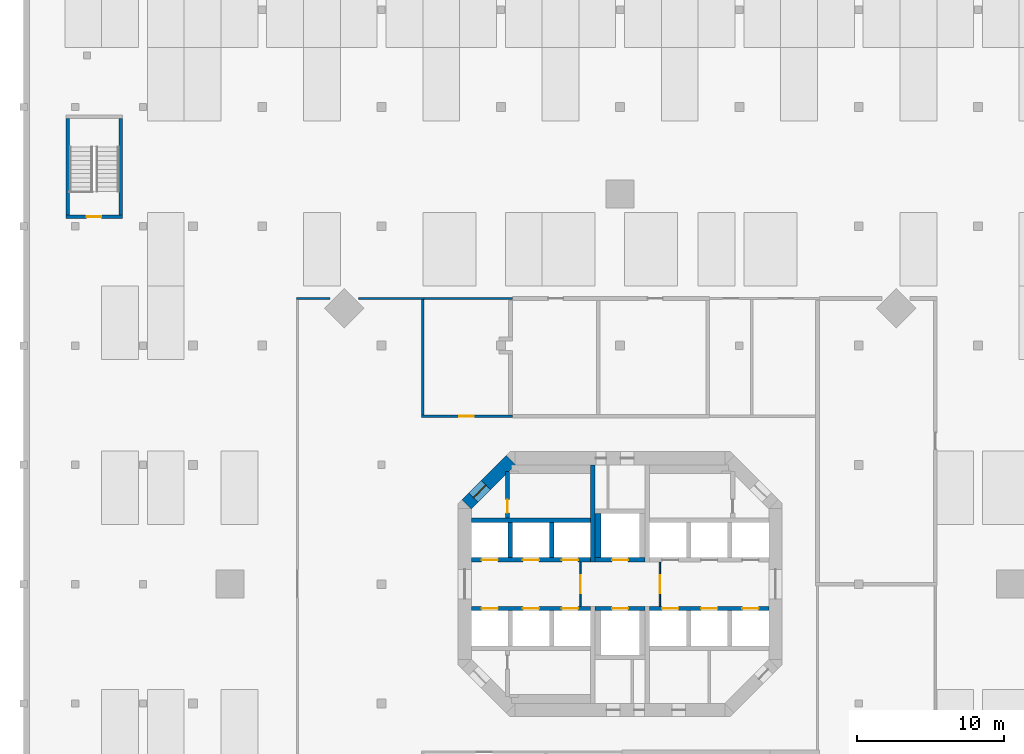
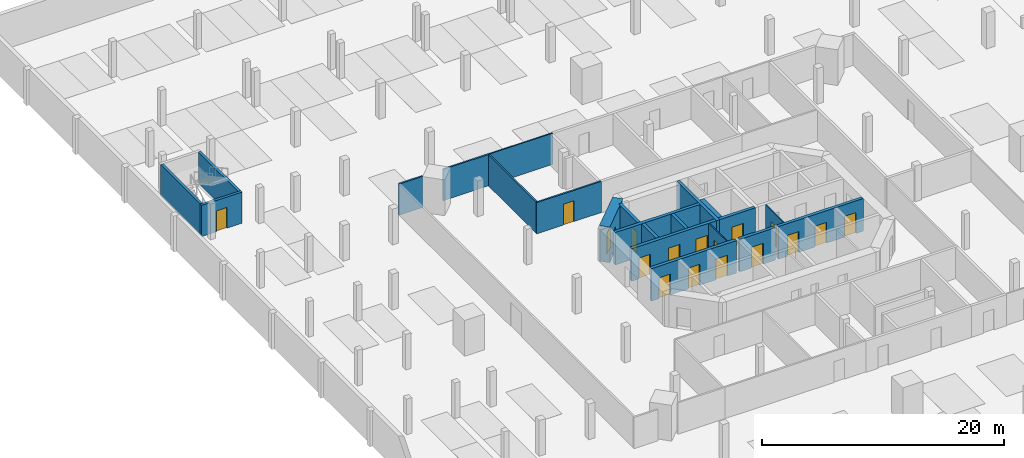
# One storey, part 8 of 14: 22 walls, 17 doors, 17 openings.
"""IFC4 building model written with IfcOpenShell, lengths in metres."""

from ifc_helpers import new_model, si_unit, direction, frame, frame_2d, origin, place, context, subcontext, project, spatial, rectangle, extrude, material, layer, layer_set, type_object, element, fill, save


model = new_model("IFC4")

# Units and contexts
model_context = context("Model", 3, precision=1e-05, world=origin(), true_north=direction((0.0, 1.0)))
body_context = subcontext(model_context, "Body", "Model", "MODEL_VIEW")
ifc_project = project(units=[si_unit("LENGTHUNIT", "METRE"), si_unit("AREAUNIT", "SQUARE_METRE"), si_unit("VOLUMEUNIT", "CUBIC_METRE"), si_unit("PLANEANGLEUNIT", "RADIAN"), si_unit("MASSUNIT", "GRAM", prefix="KILO")], contexts=[model_context])

# Site, building, storey
site_placement = place(None, origin())
site = spatial("IfcSite", under=ifc_project, at=site_placement, CompositionType="ELEMENT")
building_placement = place(site_placement, origin())
building = spatial("IfcBuilding", under=site, at=building_placement, Name="Torre Triforio", CompositionType="ELEMENT")
storey_placement = place(building_placement, frame((0.0, 0.0, -3.60009765625)))
storey = spatial("IfcBuildingStorey", under=building, at=storey_placement, Name="B1", CompositionType="ELEMENT", Elevation=-3.60009765625)

# Wall
ifc_material_1 = material(Name="Concrete C60", Category="concrete")
ifc_layer_1 = layer(ifc_material_1, 0.300048828125)
ifc_layer_set_1 = layer_set([ifc_layer_1], Name="Concrete C60")
wall_type_1 = type_object("IfcWallType", Name="Core wall 300 mm C60 EI 120", PredefinedType="SHEAR", material=ifc_layer_set_1)
wall_1_placement = place(storey_placement, frame((-1.85009765625, 1.5, 0.0), z_axis=(0.0, 0.0, 1.0), x_axis=(0.0, 1.0, 0.0)))
element("IfcWall", 1, at=wall_1_placement, inside=storey, type_object=wall_type_1, Name="Core wall", PredefinedType="SHEAR", context=body_context, shape_type="SweptSolid", body=[
    extrude(rectangle(XDim=6.60009765625, YDim=0.300048828125, at=frame_2d((3.300048828125, 0.0))), origin(), (0.0, 0.0, 1.0), 3.280029296875),
])

# Wall, opening, door
ifc_layer_2 = layer(ifc_material_1, 0.89990234375)
ifc_layer_set_2 = layer_set([ifc_layer_2], Name="Concrete C60")
wall_type_2 = type_object("IfcWallType", Name="Core wall 900 mm C60 EI 120", PredefinedType="SHEAR", material=ifc_layer_set_2)
wall_2_placement = place(storey_placement, frame((-10.418212890625, 5.418212890625, -0.31982421875), z_axis=(0.0, 0.0, 1.0), x_axis=(0.707106781187, 0.707106781187, 0.0)))
wall_2 = element("IfcWall", 2, at=wall_2_placement, inside=storey, type_object=wall_type_2, Name="Core wall", PredefinedType="SHEAR", context=body_context, shape_type="SweptSolid", body=[
    extrude(rectangle(XDim=4.24267578125, YDim=0.89990234375, at=frame_2d((2.121337890625, 0.0))), origin(), (0.0, 0.0, 1.0), 3.599853515625),
])
opening_1_placement = place(wall_2_placement, frame((0.64990234375, 0.0, 0.320068359375)))
opening_1 = element("IfcOpeningElement", 3, at=opening_1_placement, cuts=wall_2, Name="Opening ST1-EXIT", PredefinedType="OPENING", context=body_context, shape_type="SweptSolid", body=[
    extrude(rectangle(XDim=1.199951171875, YDim=2.10009765625, at=frame_2d((0.60009765625, 1.050048828125))), frame((0.0, 0.4599609375, 0.0), z_axis=(0.0, -1.0, 0.0), x_axis=(1.0, 0.0, 0.0)), (0.0, 0.0, 1.0), 0.919921875),
])
ifc_material_2 = material(Name="Hollow metal fire door leaf")
door_type_1 = type_object("IfcDoorType", Name="Stair lobby door 1200 x 2100 EI 60", OperationType="NOTDEFINED", PredefinedType="DOOR", material=ifc_material_2)
door_1_placement = place(opening_1_placement, origin())
door_1 = element("IfcDoor", 4, at=door_1_placement, inside=storey, type_object=door_type_1, Name="Core door ST1-EXIT", OperationType="SINGLE_SWING_LEFT", OverallHeight=2.10009765625, OverallWidth=1.199951171875, PredefinedType="DOOR", context=body_context, shape_type="SweptSolid", body=[
    extrude(rectangle(XDim=1.199951171875, YDim=2.10009765625, at=frame_2d((0.60009765625, 1.050048828125))), frame((0.0, 0.02490234375, 0.0), z_axis=(0.0, -1.0, 0.0), x_axis=(1.0, 0.0, 0.0)), (0.0, 0.0, 1.0), 0.050048828125),
])
fill(opening_1, door_1)

# Walls
ifc_material_3 = material(Name="Plasterboard on metal studs")
ifc_layer_3 = layer(ifc_material_3, 0.14990234375)
ifc_layer_set_3 = layer_set([ifc_layer_3], Name="Plasterboard on metal studs")
wall_type_3 = type_object("IfcWallType", Name="Corridor wall 150 EI 60", PredefinedType="PARTITIONING", material=ifc_layer_set_3)
wall_3_placement = place(storey_placement, frame((-13.39990234375, 11.47509765625, 0.0), z_axis=(0.0, 0.0, 1.0), x_axis=(0.0, 1.0, 0.0)))
element("IfcWall", 5, at=wall_3_placement, inside=storey, type_object=wall_type_3, Name="Corridor wall B1 017", PredefinedType="PARTITIONING", context=body_context, shape_type="SweptSolid", body=[
    extrude(rectangle(XDim=7.849853515625, YDim=0.14990234375, at=frame_2d((3.9248046875, 0.0))), origin(), (0.0, 0.0, 1.0), 3.150146484375),
])
wall_4_placement = place(storey_placement, frame((-21.97509765625, 19.39990234375, 0.0), z_axis=(0.0, 0.0, 1.0), x_axis=(1.0, 0.0, 0.0)))
element("IfcWall", 6, at=wall_4_placement, inside=storey, type_object=wall_type_3, Name="Corridor wall B1 020", PredefinedType="PARTITIONING", context=body_context, shape_type="SweptSolid", body=[
    extrude(rectangle(XDim=2.27685546875, YDim=0.14990234375, at=frame_2d((1.138427734375, 0.0))), origin(), (0.0, 0.0, 1.0), 3.150146484375),
])
wall_5_placement = place(storey_placement, frame((-17.7783203125, 19.39990234375, 0.0), z_axis=(0.0, 0.0, 1.0), x_axis=(1.0, 0.0, 0.0)))
element("IfcWall", 7, at=wall_5_placement, inside=storey, type_object=wall_type_3, Name="Corridor wall B1 021", PredefinedType="PARTITIONING", context=body_context, shape_type="SweptSolid", body=[
    extrude(rectangle(XDim=4.453369140625, YDim=0.14990234375, at=frame_2d((2.2265625, 0.0))), origin(), (0.0, 0.0, 1.0), 3.150146484375),
])

# Wall, opening, door
wall_6_placement = place(storey_placement, frame((-13.47509765625, 11.39990234375, 0.0), z_axis=(0.0, 0.0, 1.0), x_axis=(1.0, 0.0, 0.0)))
wall_6 = element("IfcWall", 8, at=wall_6_placement, inside=storey, type_object=wall_type_3, Name="Corridor wall B1 040", PredefinedType="PARTITIONING", context=body_context, shape_type="SweptSolid", body=[
    extrude(rectangle(XDim=6.15576171875, YDim=0.14990234375, at=frame_2d((3.077880859375, 0.0))), origin(), (0.0, 0.0, 1.0), 3.150146484375),
])
opening_2_placement = place(wall_6_placement, frame((2.550048828125, 0.0, 0.0)))
opening_2 = element("IfcOpeningElement", 9, at=opening_2_placement, cuts=wall_6, Name="Opening BS1-05", PredefinedType="OPENING", context=body_context, shape_type="SweptSolid", body=[
    extrude(rectangle(XDim=1.0, YDim=2.10009765625, at=frame_2d((0.5, 1.050048828125))), frame((0.0, 0.0849609375, 0.0), z_axis=(0.0, -1.0, 0.0), x_axis=(1.0, 0.0, 0.0)), (0.0, 0.0, 1.0), 0.169921875),
])
ifc_material_4 = material(Name="Timber door leaf", Category="wood")
door_type_2 = type_object("IfcDoorType", Name="Single door 1000 x 2100 EI 30", OperationType="NOTDEFINED", PredefinedType="DOOR", material=ifc_material_4)
door_2_placement = place(opening_2_placement, origin())
door_2 = element("IfcDoor", 10, at=door_2_placement, inside=storey, type_object=door_type_2, Name="Door BS1-05", OperationType="SINGLE_SWING_LEFT", OverallHeight=2.10009765625, OverallWidth=1.0, PredefinedType="DOOR", context=body_context, shape_type="SweptSolid", body=[
    extrude(rectangle(XDim=1.0, YDim=2.10009765625, at=frame_2d((0.5, 1.050048828125))), frame((0.0, 0.02490234375, 0.0), z_axis=(0.0, -1.0, 0.0), x_axis=(1.0, 0.0, 0.0)), (0.0, 0.0, 1.0), 0.050048828125),
])
fill(opening_2, door_2)

ifc_material_5 = material(Name="Block and board partition")
ifc_layer_4 = layer(ifc_material_5, 0.10009765625)
ifc_layer_set_4 = layer_set([ifc_layer_4], Name="Block and board partition")
wall_type_4 = type_object("IfcWallType", Name="Partition 100 mm EI 120", PredefinedType="PARTITIONING", material=ifc_layer_set_4)
wall_7_placement = place(storey_placement, frame((-2.699951171875, -1.5, 0.0), z_axis=(0.0, 0.0, 1.0), x_axis=(0.0, 1.0, 0.0)))
wall_7 = element("IfcWall", 11, at=wall_7_placement, inside=storey, type_object=wall_type_4, Name="Partition", PredefinedType="PARTITIONING", context=body_context, shape_type="SweptSolid", body=[
    extrude(rectangle(XDim=3.0, YDim=0.10009765625, at=frame_2d((1.5, 0.0))), origin(), (0.0, 0.0, 1.0), 3.280029296875),
])
opening_3_placement = place(wall_7_placement, frame((0.89990234375, 0.0, 0.0)))
opening_3 = element("IfcOpeningElement", 12, at=opening_3_placement, cuts=wall_7, Name="Opening FF-W", PredefinedType="OPENING", context=body_context, shape_type="SweptSolid", body=[
    extrude(rectangle(XDim=1.199951171875, YDim=2.10009765625, at=frame_2d((0.60009765625, 1.050048828125))), frame((0.0, 0.06005859375, 0.0), z_axis=(0.0, -1.0, 0.0), x_axis=(1.0, 0.0, 0.0)), (0.0, 0.0, 1.0), 0.1201171875),
])
door_type_3 = type_object("IfcDoorType", Name="Fire-fighting lobby door 1200 x 2100 EI 60", OperationType="NOTDEFINED", PredefinedType="DOOR", material=ifc_material_2)
door_3_placement = place(opening_3_placement, origin())
door_3 = element("IfcDoor", 13, at=door_3_placement, inside=storey, type_object=door_type_3, Name="Core door FF-W", OperationType="SINGLE_SWING_LEFT", OverallHeight=2.10009765625, OverallWidth=1.199951171875, PredefinedType="DOOR", context=body_context, shape_type="SweptSolid", body=[
    extrude(rectangle(XDim=1.199951171875, YDim=2.10009765625, at=frame_2d((0.60009765625, 1.050048828125))), frame((0.0, 0.02490234375, 0.0), z_axis=(0.0, -1.0, 0.0), x_axis=(1.0, 0.0, 0.0)), (0.0, 0.0, 1.0), 0.050048828125),
])
fill(opening_3, door_3)

wall_8_placement = place(storey_placement, frame((2.699951171875, -1.5, 0.0), z_axis=(0.0, 0.0, 1.0), x_axis=(0.0, 1.0, 0.0)))
wall_8 = element("IfcWall", 14, at=wall_8_placement, inside=storey, type_object=wall_type_4, Name="Partition", PredefinedType="PARTITIONING", context=body_context, shape_type="SweptSolid", body=[
    extrude(rectangle(XDim=3.0, YDim=0.10009765625, at=frame_2d((1.5, 0.0))), origin(), (0.0, 0.0, 1.0), 3.280029296875),
])
opening_4_placement = place(wall_8_placement, frame((0.89990234375, 0.0, 0.0)))
opening_4 = element("IfcOpeningElement", 15, at=opening_4_placement, cuts=wall_8, Name="Opening FF-E", PredefinedType="OPENING", context=body_context, shape_type="SweptSolid", body=[
    extrude(rectangle(XDim=1.199951171875, YDim=2.10009765625, at=frame_2d((0.60009765625, 1.050048828125))), frame((0.0, 0.06005859375, 0.0), z_axis=(0.0, -1.0, 0.0), x_axis=(1.0, 0.0, 0.0)), (0.0, 0.0, 1.0), 0.1201171875),
])
door_4_placement = place(opening_4_placement, origin())
door_4 = element("IfcDoor", 16, at=door_4_placement, inside=storey, type_object=door_type_3, Name="Core door FF-E", OperationType="SINGLE_SWING_LEFT", OverallHeight=2.10009765625, OverallWidth=1.199951171875, PredefinedType="DOOR", context=body_context, shape_type="SweptSolid", body=[
    extrude(rectangle(XDim=1.199951171875, YDim=2.10009765625, at=frame_2d((0.60009765625, 1.050048828125))), frame((0.0, 0.02490234375, 0.0), z_axis=(0.0, -1.0, 0.0), x_axis=(1.0, 0.0, 0.0)), (0.0, 0.0, 1.0), 0.050048828125),
])
fill(opening_4, door_4)

# Walls
ifc_layer_5 = layer(ifc_material_3, 0.1201171875)
ifc_layer_set_5 = layer_set([ifc_layer_5], Name="Plasterboard on metal studs")
wall_type_5 = type_object("IfcWallType", Name="Partition 120", PredefinedType="PARTITIONING", material=ifc_layer_set_5)
wall_9_placement = place(storey_placement, frame((-13.324951171875, 19.39990234375, 0.0), z_axis=(0.0, 0.0, 1.0), x_axis=(1.0, 0.0, 0.0)))
element("IfcWall", 17, at=wall_9_placement, inside=storey, type_object=wall_type_5, Name="Partition B1 039", PredefinedType="PARTITIONING", context=body_context, shape_type="SweptSolid", body=[
    extrude(rectangle(XDim=6.005615234375, YDim=0.1201171875, at=frame_2d((3.0029296875, 0.0))), origin(), (0.0, 0.0, 1.0), 3.150146484375),
])
ifc_layer_6 = layer(ifc_material_1, 0.300048828125)
ifc_layer_set_6 = layer_set([ifc_layer_6], Name="Concrete C60")
wall_type_6 = type_object("IfcWallType", Name="Shaft wall 300 mm C60 EI 120", PredefinedType="SOLIDWALL", material=ifc_layer_set_6)
wall_10_placement = place(storey_placement, frame((-10.10009765625, 4.35009765625, 0.0), z_axis=(0.0, 0.0, 1.0), x_axis=(1.0, 0.0, 0.0)))
element("IfcWall", 18, at=wall_10_placement, inside=storey, type_object=wall_type_6, Name="Shaft wall", PredefinedType="SOLIDWALL", context=body_context, shape_type="SweptSolid", body=[
    extrude(rectangle(XDim=8.10009765625, YDim=0.300048828125, at=frame_2d((4.050048828125, 0.0))), origin(), (0.0, 0.0, 1.0), 3.280029296875),
])

# Wall, openings, doors
wall_11_placement = place(storey_placement, frame((-10.10009765625, 1.64990234375, 0.0), z_axis=(0.0, 0.0, 1.0), x_axis=(1.0, 0.0, 0.0)))
wall_11 = element("IfcWall", 19, at=wall_11_placement, inside=storey, type_object=wall_type_6, Name="Shaft wall", PredefinedType="SOLIDWALL", context=body_context, shape_type="SweptSolid", body=[
    extrude(rectangle(XDim=8.10009765625, YDim=0.300048828125, at=frame_2d((4.050048828125, 0.0))), origin(), (0.0, 0.0, 1.0), 3.280029296875),
])
opening_5_placement = place(wall_11_placement, frame((0.699951171875, 0.0, 0.0)))
opening_5 = element("IfcOpeningElement", 20, at=opening_5_placement, cuts=wall_11, Name="Opening LD", PredefinedType="OPENING", context=body_context, shape_type="SweptSolid", body=[
    extrude(rectangle(XDim=1.10009765625, YDim=2.10009765625, at=frame_2d((0.550048828125, 1.050048828125))), frame((0.0, 0.159912109375, 0.0), z_axis=(0.0, -1.0, 0.0), x_axis=(1.0, 0.0, 0.0)), (0.0, 0.0, 1.0), 0.320068359375),
])
opening_6_placement = place(wall_11_placement, frame((3.5, 0.0, 0.0)))
opening_6 = element("IfcOpeningElement", 21, at=opening_6_placement, cuts=wall_11, Name="Opening LD", PredefinedType="OPENING", context=body_context, shape_type="SweptSolid", body=[
    extrude(rectangle(XDim=1.10009765625, YDim=2.10009765625, at=frame_2d((0.550048828125, 1.050048828125))), frame((0.0, 0.159912109375, 0.0), z_axis=(0.0, -1.0, 0.0), x_axis=(1.0, 0.0, 0.0)), (0.0, 0.0, 1.0), 0.320068359375),
])
opening_7_placement = place(wall_11_placement, frame((6.14990234375, 0.0, 0.0)))
opening_7 = element("IfcOpeningElement", 22, at=opening_7_placement, cuts=wall_11, Name="Opening LD", PredefinedType="OPENING", context=body_context, shape_type="SweptSolid", body=[
    extrude(rectangle(XDim=1.10009765625, YDim=2.10009765625, at=frame_2d((0.550048828125, 1.050048828125))), frame((0.0, 0.159912109375, 0.0), z_axis=(0.0, -1.0, 0.0), x_axis=(1.0, 0.0, 0.0)), (0.0, 0.0, 1.0), 0.320068359375),
])
door_type_4 = type_object("IfcDoorType", Name="Landing door 1100 x 2100 EI 60", OperationType="DOUBLE_DOOR_SLIDING", PredefinedType="DOOR", material=ifc_material_2)
door_5_placement = place(opening_5_placement, origin())
door_5 = element("IfcDoor", 23, at=door_5_placement, inside=storey, type_object=door_type_4, Name="Landing door LR1", OperationType="DOUBLE_DOOR_SLIDING", OverallHeight=2.10009765625, OverallWidth=1.10009765625, PredefinedType="DOOR", context=body_context, shape_type="SweptSolid", body=[
    extrude(rectangle(XDim=1.10009765625, YDim=2.10009765625, at=frame_2d((0.550048828125, 1.050048828125))), frame((0.0, 0.02490234375, 0.0), z_axis=(0.0, -1.0, 0.0), x_axis=(1.0, 0.0, 0.0)), (0.0, 0.0, 1.0), 0.050048828125),
])
fill(opening_5, door_5)
door_6_placement = place(opening_6_placement, origin())
door_6 = element("IfcDoor", 24, at=door_6_placement, inside=storey, type_object=door_type_4, Name="Landing door LR2", OperationType="DOUBLE_DOOR_SLIDING", OverallHeight=2.10009765625, OverallWidth=1.10009765625, PredefinedType="DOOR", context=body_context, shape_type="SweptSolid", body=[
    extrude(rectangle(XDim=1.10009765625, YDim=2.10009765625, at=frame_2d((0.550048828125, 1.050048828125))), frame((0.0, 0.02490234375, 0.0), z_axis=(0.0, -1.0, 0.0), x_axis=(1.0, 0.0, 0.0)), (0.0, 0.0, 1.0), 0.050048828125),
])
fill(opening_6, door_6)
door_7_placement = place(opening_7_placement, origin())
door_7 = element("IfcDoor", 25, at=door_7_placement, inside=storey, type_object=door_type_4, Name="Landing door LR3", OperationType="DOUBLE_DOOR_SLIDING", OverallHeight=2.10009765625, OverallWidth=1.10009765625, PredefinedType="DOOR", context=body_context, shape_type="SweptSolid", body=[
    extrude(rectangle(XDim=1.10009765625, YDim=2.10009765625, at=frame_2d((0.550048828125, 1.050048828125))), frame((0.0, 0.02490234375, 0.0), z_axis=(0.0, -1.0, 0.0), x_axis=(1.0, 0.0, 0.0)), (0.0, 0.0, 1.0), 0.050048828125),
])
fill(opening_7, door_7)

wall_12_placement = place(storey_placement, frame((-10.10009765625, -1.64990234375, 0.0), z_axis=(0.0, 0.0, 1.0), x_axis=(1.0, 0.0, 0.0)))
wall_12 = element("IfcWall", 26, at=wall_12_placement, inside=storey, type_object=wall_type_6, Name="Shaft wall", PredefinedType="SOLIDWALL", context=body_context, shape_type="SweptSolid", body=[
    extrude(rectangle(XDim=8.10009765625, YDim=0.300048828125, at=frame_2d((4.050048828125, 0.0))), origin(), (0.0, 0.0, 1.0), 3.280029296875),
])
opening_8_placement = place(wall_12_placement, frame((0.699951171875, 0.0, 0.0)))
opening_8 = element("IfcOpeningElement", 27, at=opening_8_placement, cuts=wall_12, Name="Opening LD", PredefinedType="OPENING", context=body_context, shape_type="SweptSolid", body=[
    extrude(rectangle(XDim=1.10009765625, YDim=2.10009765625, at=frame_2d((0.550048828125, 1.050048828125))), frame((0.0, 0.159912109375, 0.0), z_axis=(0.0, -1.0, 0.0), x_axis=(1.0, 0.0, 0.0)), (0.0, 0.0, 1.0), 0.320068359375),
])
opening_9_placement = place(wall_12_placement, frame((3.5, 0.0, 0.0)))
opening_9 = element("IfcOpeningElement", 28, at=opening_9_placement, cuts=wall_12, Name="Opening LD", PredefinedType="OPENING", context=body_context, shape_type="SweptSolid", body=[
    extrude(rectangle(XDim=1.10009765625, YDim=2.10009765625, at=frame_2d((0.550048828125, 1.050048828125))), frame((0.0, 0.159912109375, 0.0), z_axis=(0.0, -1.0, 0.0), x_axis=(1.0, 0.0, 0.0)), (0.0, 0.0, 1.0), 0.320068359375),
])
opening_10_placement = place(wall_12_placement, frame((6.14990234375, 0.0, 0.0)))
opening_10 = element("IfcOpeningElement", 29, at=opening_10_placement, cuts=wall_12, Name="Opening LD", PredefinedType="OPENING", context=body_context, shape_type="SweptSolid", body=[
    extrude(rectangle(XDim=1.10009765625, YDim=2.10009765625, at=frame_2d((0.550048828125, 1.050048828125))), frame((0.0, 0.159912109375, 0.0), z_axis=(0.0, -1.0, 0.0), x_axis=(1.0, 0.0, 0.0)), (0.0, 0.0, 1.0), 0.320068359375),
])
door_8_placement = place(opening_8_placement, origin())
door_8 = element("IfcDoor", 30, at=door_8_placement, inside=storey, type_object=door_type_4, Name="Landing door LR4", OperationType="DOUBLE_DOOR_SLIDING", OverallHeight=2.10009765625, OverallWidth=1.10009765625, PredefinedType="DOOR", context=body_context, shape_type="SweptSolid", body=[
    extrude(rectangle(XDim=1.10009765625, YDim=2.10009765625, at=frame_2d((0.550048828125, 1.050048828125))), frame((0.0, 0.02490234375, 0.0), z_axis=(0.0, -1.0, 0.0), x_axis=(1.0, 0.0, 0.0)), (0.0, 0.0, 1.0), 0.050048828125),
])
fill(opening_8, door_8)
door_9_placement = place(opening_9_placement, origin())
door_9 = element("IfcDoor", 31, at=door_9_placement, inside=storey, type_object=door_type_4, Name="Landing door LR5", OperationType="DOUBLE_DOOR_SLIDING", OverallHeight=2.10009765625, OverallWidth=1.10009765625, PredefinedType="DOOR", context=body_context, shape_type="SweptSolid", body=[
    extrude(rectangle(XDim=1.10009765625, YDim=2.10009765625, at=frame_2d((0.550048828125, 1.050048828125))), frame((0.0, 0.02490234375, 0.0), z_axis=(0.0, -1.0, 0.0), x_axis=(1.0, 0.0, 0.0)), (0.0, 0.0, 1.0), 0.050048828125),
])
fill(opening_9, door_9)
door_10_placement = place(opening_10_placement, origin())
door_10 = element("IfcDoor", 32, at=door_10_placement, inside=storey, type_object=door_type_4, Name="Landing door LR6", OperationType="DOUBLE_DOOR_SLIDING", OverallHeight=2.10009765625, OverallWidth=1.10009765625, PredefinedType="DOOR", context=body_context, shape_type="SweptSolid", body=[
    extrude(rectangle(XDim=1.10009765625, YDim=2.10009765625, at=frame_2d((0.550048828125, 1.050048828125))), frame((0.0, 0.02490234375, 0.0), z_axis=(0.0, -1.0, 0.0), x_axis=(1.0, 0.0, 0.0)), (0.0, 0.0, 1.0), 0.050048828125),
])
fill(opening_10, door_10)

wall_13_placement = place(storey_placement, frame((2.0, -1.64990234375, 0.0), z_axis=(0.0, 0.0, 1.0), x_axis=(1.0, 0.0, 0.0)))
wall_13 = element("IfcWall", 33, at=wall_13_placement, inside=storey, type_object=wall_type_6, Name="Shaft wall", PredefinedType="SOLIDWALL", context=body_context, shape_type="SweptSolid", body=[
    extrude(rectangle(XDim=8.10009765625, YDim=0.300048828125, at=frame_2d((4.050048828125, 0.0))), origin(), (0.0, 0.0, 1.0), 3.280029296875),
])
opening_11_placement = place(wall_13_placement, frame((0.85009765625, 0.0, 0.0)))
opening_11 = element("IfcOpeningElement", 34, at=opening_11_placement, cuts=wall_13, Name="Opening LD", PredefinedType="OPENING", context=body_context, shape_type="SweptSolid", body=[
    extrude(rectangle(XDim=1.10009765625, YDim=2.10009765625, at=frame_2d((0.550048828125, 1.050048828125))), frame((0.0, 0.159912109375, 0.0), z_axis=(0.0, -1.0, 0.0), x_axis=(1.0, 0.0, 0.0)), (0.0, 0.0, 1.0), 0.320068359375),
])
opening_12_placement = place(wall_13_placement, frame((3.5, 0.0, 0.0)))
opening_12 = element("IfcOpeningElement", 35, at=opening_12_placement, cuts=wall_13, Name="Opening LD", PredefinedType="OPENING", context=body_context, shape_type="SweptSolid", body=[
    extrude(rectangle(XDim=1.10009765625, YDim=2.10009765625, at=frame_2d((0.550048828125, 1.050048828125))), frame((0.0, 0.159912109375, 0.0), z_axis=(0.0, -1.0, 0.0), x_axis=(1.0, 0.0, 0.0)), (0.0, 0.0, 1.0), 0.320068359375),
])
opening_13_placement = place(wall_13_placement, frame((6.300048828125, 0.0, 0.0)))
opening_13 = element("IfcOpeningElement", 36, at=opening_13_placement, cuts=wall_13, Name="Opening LD", PredefinedType="OPENING", context=body_context, shape_type="SweptSolid", body=[
    extrude(rectangle(XDim=1.10009765625, YDim=2.10009765625, at=frame_2d((0.550048828125, 1.050048828125))), frame((0.0, 0.159912109375, 0.0), z_axis=(0.0, -1.0, 0.0), x_axis=(1.0, 0.0, 0.0)), (0.0, 0.0, 1.0), 0.320068359375),
])
door_11_placement = place(opening_11_placement, origin())
door_11 = element("IfcDoor", 37, at=door_11_placement, inside=storey, type_object=door_type_4, Name="Landing door HR4", OperationType="DOUBLE_DOOR_SLIDING", OverallHeight=2.10009765625, OverallWidth=1.10009765625, PredefinedType="DOOR", context=body_context, shape_type="SweptSolid", body=[
    extrude(rectangle(XDim=1.10009765625, YDim=2.10009765625, at=frame_2d((0.550048828125, 1.050048828125))), frame((0.0, 0.02490234375, 0.0), z_axis=(0.0, -1.0, 0.0), x_axis=(1.0, 0.0, 0.0)), (0.0, 0.0, 1.0), 0.050048828125),
])
fill(opening_11, door_11)
door_12_placement = place(opening_12_placement, origin())
door_12 = element("IfcDoor", 38, at=door_12_placement, inside=storey, type_object=door_type_4, Name="Landing door HR5", OperationType="DOUBLE_DOOR_SLIDING", OverallHeight=2.10009765625, OverallWidth=1.10009765625, PredefinedType="DOOR", context=body_context, shape_type="SweptSolid", body=[
    extrude(rectangle(XDim=1.10009765625, YDim=2.10009765625, at=frame_2d((0.550048828125, 1.050048828125))), frame((0.0, 0.02490234375, 0.0), z_axis=(0.0, -1.0, 0.0), x_axis=(1.0, 0.0, 0.0)), (0.0, 0.0, 1.0), 0.050048828125),
])
fill(opening_12, door_12)
door_13_placement = place(opening_13_placement, origin())
door_13 = element("IfcDoor", 39, at=door_13_placement, inside=storey, type_object=door_type_4, Name="Landing door HR6", OperationType="DOUBLE_DOOR_SLIDING", OverallHeight=2.10009765625, OverallWidth=1.10009765625, PredefinedType="DOOR", context=body_context, shape_type="SweptSolid", body=[
    extrude(rectangle(XDim=1.10009765625, YDim=2.10009765625, at=frame_2d((0.550048828125, 1.050048828125))), frame((0.0, 0.02490234375, 0.0), z_axis=(0.0, -1.0, 0.0), x_axis=(1.0, 0.0, 0.0)), (0.0, 0.0, 1.0), 0.050048828125),
])
fill(opening_13, door_13)

# Walls
for number, where, z_axis, x_axis, name in (
    (40, (-7.449951171875, 1.800048828125, 0.0), (0.0, 0.0, 1.0), (0.0, 1.0, 0.0), "Shaft wall"),
    (41, (-4.64990234375, 1.800048828125, 0.0), (0.0, 0.0, 1.0), (0.0, 1.0, 0.0), "Shaft wall"),
):
    element("IfcWall", number, at=place(storey_placement, frame(where, z_axis=z_axis, x_axis=x_axis)), inside=storey, type_object=wall_type_6, Name=name, PredefinedType="SOLIDWALL", context=body_context, shape_type="SweptSolid", body=[
        extrude(rectangle(XDim=2.39990234375, YDim=0.300048828125, at=frame_2d((1.199951171875, 0.0))), origin(), (0.0, 0.0, 1.0), 3.280029296875),
    ])

# Wall, opening, door
wall_14_placement = place(storey_placement, frame((-1.699951171875, 1.64990234375, 0.0), z_axis=(0.0, 0.0, 1.0), x_axis=(1.0, 0.0, 0.0)))
wall_14 = element("IfcWall", 42, at=wall_14_placement, inside=storey, type_object=wall_type_6, Name="Shaft wall", PredefinedType="SOLIDWALL", context=body_context, shape_type="SweptSolid", body=[
    extrude(rectangle(XDim=3.39990234375, YDim=0.300048828125, at=frame_2d((1.699951171875, 0.0))), origin(), (0.0, 0.0, 1.0), 3.280029296875),
])
opening_14_placement = place(wall_14_placement, frame((1.14990234375, 0.0, 0.0)))
opening_14 = element("IfcOpeningElement", 43, at=opening_14_placement, cuts=wall_14, Name="Opening LD", PredefinedType="OPENING", context=body_context, shape_type="SweptSolid", body=[
    extrude(rectangle(XDim=1.10009765625, YDim=2.10009765625, at=frame_2d((0.550048828125, 1.050048828125))), frame((0.0, 0.159912109375, 0.0), z_axis=(0.0, -1.0, 0.0), x_axis=(1.0, 0.0, 0.0)), (0.0, 0.0, 1.0), 0.320068359375),
])
door_14_placement = place(opening_14_placement, origin())
door_14 = element("IfcDoor", 44, at=door_14_placement, inside=storey, type_object=door_type_4, Name="Landing door FFL1", OperationType="DOUBLE_DOOR_SLIDING", OverallHeight=2.10009765625, OverallWidth=1.10009765625, PredefinedType="DOOR", context=body_context, shape_type="SweptSolid", body=[
    extrude(rectangle(XDim=1.10009765625, YDim=2.10009765625, at=frame_2d((0.550048828125, 1.050048828125))), frame((0.0, 0.02490234375, 0.0), z_axis=(0.0, -1.0, 0.0), x_axis=(1.0, 0.0, 0.0)), (0.0, 0.0, 1.0), 0.050048828125),
])
fill(opening_14, door_14)

wall_15_placement = place(storey_placement, frame((-1.699951171875, -1.64990234375, 0.0), z_axis=(0.0, 0.0, 1.0), x_axis=(1.0, 0.0, 0.0)))
wall_15 = element("IfcWall", 45, at=wall_15_placement, inside=storey, type_object=wall_type_6, Name="Shaft wall", PredefinedType="SOLIDWALL", context=body_context, shape_type="SweptSolid", body=[
    extrude(rectangle(XDim=3.39990234375, YDim=0.300048828125, at=frame_2d((1.699951171875, 0.0))), origin(), (0.0, 0.0, 1.0), 3.280029296875),
])
opening_15_placement = place(wall_15_placement, frame((1.14990234375, 0.0, 0.0)))
opening_15 = element("IfcOpeningElement", 46, at=opening_15_placement, cuts=wall_15, Name="Opening LD", PredefinedType="OPENING", context=body_context, shape_type="SweptSolid", body=[
    extrude(rectangle(XDim=1.10009765625, YDim=2.10009765625, at=frame_2d((0.550048828125, 1.050048828125))), frame((0.0, 0.159912109375, 0.0), z_axis=(0.0, -1.0, 0.0), x_axis=(1.0, 0.0, 0.0)), (0.0, 0.0, 1.0), 0.320068359375),
])
door_15_placement = place(opening_15_placement, origin())
door_15 = element("IfcDoor", 47, at=door_15_placement, inside=storey, type_object=door_type_4, Name="Landing door FFL2", OperationType="DOUBLE_DOOR_SLIDING", OverallHeight=2.10009765625, OverallWidth=1.10009765625, PredefinedType="DOOR", context=body_context, shape_type="SweptSolid", body=[
    extrude(rectangle(XDim=1.10009765625, YDim=2.10009765625, at=frame_2d((0.550048828125, 1.050048828125))), frame((0.0, 0.02490234375, 0.0), z_axis=(0.0, -1.0, 0.0), x_axis=(1.0, 0.0, 0.0)), (0.0, 0.0, 1.0), 0.050048828125),
])
fill(opening_15, door_15)

# Wall
ifc_layer_7 = layer(ifc_material_1, 0.39990234375)
ifc_layer_set_7 = layer_set([ifc_layer_7], Name="Concrete C60")
wall_type_7 = type_object("IfcWallType", Name="Shaft wall 400 mm C60 EI 120", PredefinedType="SOLIDWALL", material=ifc_layer_set_7)
wall_16_placement = place(storey_placement, frame((-1.5, 1.800048828125, 0.0), z_axis=(0.0, 0.0, 1.0), x_axis=(0.0, 1.0, 0.0)))
element("IfcWall", 48, at=wall_16_placement, inside=storey, type_object=wall_type_7, Name="Shaft wall", PredefinedType="SOLIDWALL", context=body_context, shape_type="SweptSolid", body=[
    extrude(rectangle(XDim=3.0, YDim=0.39990234375, at=frame_2d((1.5, 0.0))), origin(), (0.0, 0.0, 1.0), 3.280029296875),
])

# Wall, opening, door
ifc_material_6 = material(Name="Concrete C40", Category="concrete")
ifc_layer_8 = layer(ifc_material_6, 0.25)
ifc_layer_set_8 = layer_set([ifc_layer_8], Name="Concrete C40")
wall_type_8 = type_object("IfcWallType", Name="Stair enclosure wall 250 EI 120", PredefinedType="STANDARD", material=ifc_layer_set_8)
wall_17_placement = place(storey_placement, frame((-37.625, 24.949951171875, 0.0), z_axis=(0.0, 0.0, 1.0), x_axis=(1.0, 0.0, 0.0)))
wall_17 = element("IfcWall", 49, at=wall_17_placement, inside=storey, type_object=wall_type_8, Name="Stair enclosure wall B1 005", PredefinedType="STANDARD", context=body_context, shape_type="SweptSolid", body=[
    extrude(rectangle(XDim=3.85009765625, YDim=0.25, at=frame_2d((1.925048828125, 0.0))), origin(), (0.0, 0.0, 1.0), 3.150146484375),
])
opening_16_placement = place(wall_17_placement, frame((1.39990234375, 0.0, 0.0)))
opening_16 = element("IfcOpeningElement", 50, at=opening_16_placement, cuts=wall_17, Name="Opening BS1-02", PredefinedType="OPENING", context=body_context, shape_type="SweptSolid", body=[
    extrude(rectangle(XDim=1.0, YDim=2.10009765625, at=frame_2d((0.5, 1.050048828125))), frame((0.0, 0.135009765625, 0.0), z_axis=(0.0, -1.0, 0.0), x_axis=(1.0, 0.0, 0.0)), (0.0, 0.0, 1.0), 0.27001953125),
])
door_type_5 = type_object("IfcDoorType", Name="Stair door 1000 x 2100 EI 90", OperationType="NOTDEFINED", PredefinedType="DOOR", material=ifc_material_2)
door_16_placement = place(opening_16_placement, origin())
door_16 = element("IfcDoor", 51, at=door_16_placement, inside=storey, type_object=door_type_5, Name="Door BS1-02", OperationType="SINGLE_SWING_LEFT", OverallHeight=2.10009765625, OverallWidth=1.0, PredefinedType="DOOR", context=body_context, shape_type="SweptSolid", body=[
    extrude(rectangle(XDim=1.0, YDim=2.10009765625, at=frame_2d((0.5, 1.050048828125))), frame((0.0, 0.02490234375, 0.0), z_axis=(0.0, -1.0, 0.0), x_axis=(1.0, 0.0, 0.0)), (0.0, 0.0, 1.0), 0.050048828125),
])
fill(opening_16, door_16)

# Walls
for number, where, z_axis, x_axis, name in (
    (52, (-37.5, 25.074951171875, 0.0), (0.0, 0.0, 1.0), (0.0, 1.0, 0.0), "Stair enclosure wall B1 007"),
    (53, (-33.89990234375, 25.074951171875, 0.0), (0.0, 0.0, 1.0), (0.0, 1.0, 0.0), "Stair enclosure wall B1 008"),
):
    element("IfcWall", number, at=place(storey_placement, frame(where, z_axis=z_axis, x_axis=x_axis)), inside=storey, type_object=wall_type_8, Name=name, PredefinedType="STANDARD", context=body_context, shape_type="SweptSolid", body=[
        extrude(rectangle(XDim=6.550048828125, YDim=0.25, at=frame_2d((3.27490234375, 0.0))), origin(), (0.0, 0.0, 1.0), 3.150146484375),
    ])

# Wall, opening, door
ifc_layer_9 = layer(ifc_material_1, 0.300048828125)
ifc_layer_set_9 = layer_set([ifc_layer_9], Name="Concrete C60")
wall_type_9 = type_object("IfcWallType", Name="Stair wall 300 mm C60 EI 120", PredefinedType="SHEAR", material=ifc_layer_set_9)
wall_18_placement = place(storey_placement, frame((-7.64990234375, 4.5, 0.0), z_axis=(0.0, 0.0, 1.0), x_axis=(0.0, 1.0, 0.0)))
wall_18 = element("IfcWall", 54, at=wall_18_placement, inside=storey, type_object=wall_type_9, Name="Stair wall", PredefinedType="SHEAR", context=body_context, shape_type="SweptSolid", body=[
    extrude(rectangle(XDim=3.139892578125, YDim=0.300048828125, at=frame_2d((1.56982421875, 0.0))), origin(), (0.0, 0.0, 1.0), 3.280029296875),
])
opening_17_placement = place(wall_18_placement, frame((0.35009765625, 0.0, 0.0)))
opening_17 = element("IfcOpeningElement", 55, at=opening_17_placement, cuts=wall_18, Name="Opening ST1-ST", PredefinedType="OPENING", context=body_context, shape_type="SweptSolid", body=[
    extrude(rectangle(XDim=0.89990234375, YDim=2.10009765625, at=frame_2d((0.449951171875, 1.050048828125))), frame((0.0, 0.159912109375, 0.0), z_axis=(0.0, -1.0, 0.0), x_axis=(1.0, 0.0, 0.0)), (0.0, 0.0, 1.0), 0.320068359375),
])
door_type_6 = type_object("IfcDoorType", Name="Fan room door 900 x 2100 EI 60", OperationType="NOTDEFINED", PredefinedType="DOOR", material=ifc_material_2)
door_17_placement = place(opening_17_placement, origin())
door_17 = element("IfcDoor", 56, at=door_17_placement, inside=storey, type_object=door_type_6, Name="Core door ST1-ST", OperationType="SINGLE_SWING_LEFT", OverallHeight=2.10009765625, OverallWidth=0.89990234375, PredefinedType="DOOR", context=body_context, shape_type="SweptSolid", body=[
    extrude(rectangle(XDim=0.89990234375, YDim=2.10009765625, at=frame_2d((0.449951171875, 1.050048828125))), frame((0.0, 0.02490234375, 0.0), z_axis=(0.0, -1.0, 0.0), x_axis=(1.0, 0.0, 0.0)), (0.0, 0.0, 1.0), 0.050048828125),
])
fill(opening_17, door_17)

save(model, "model.ifc")
